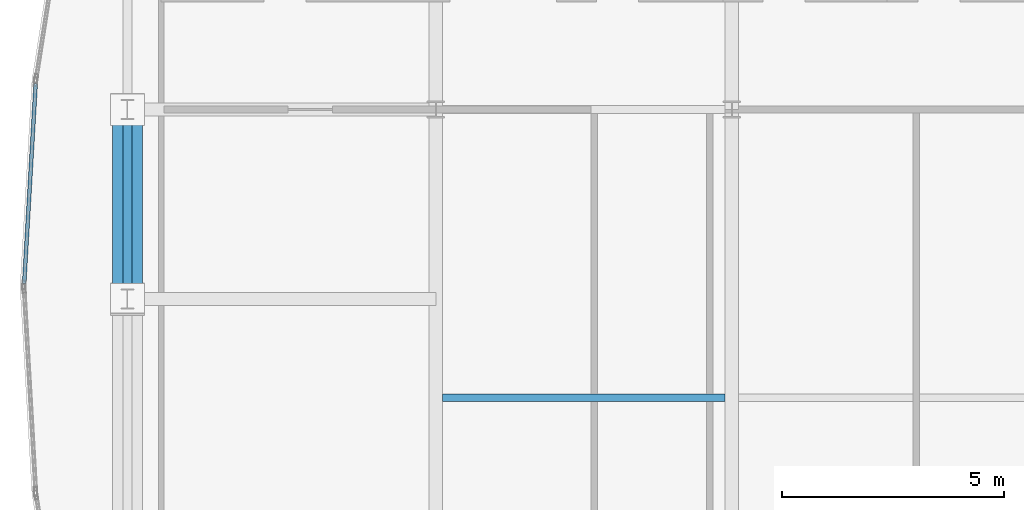
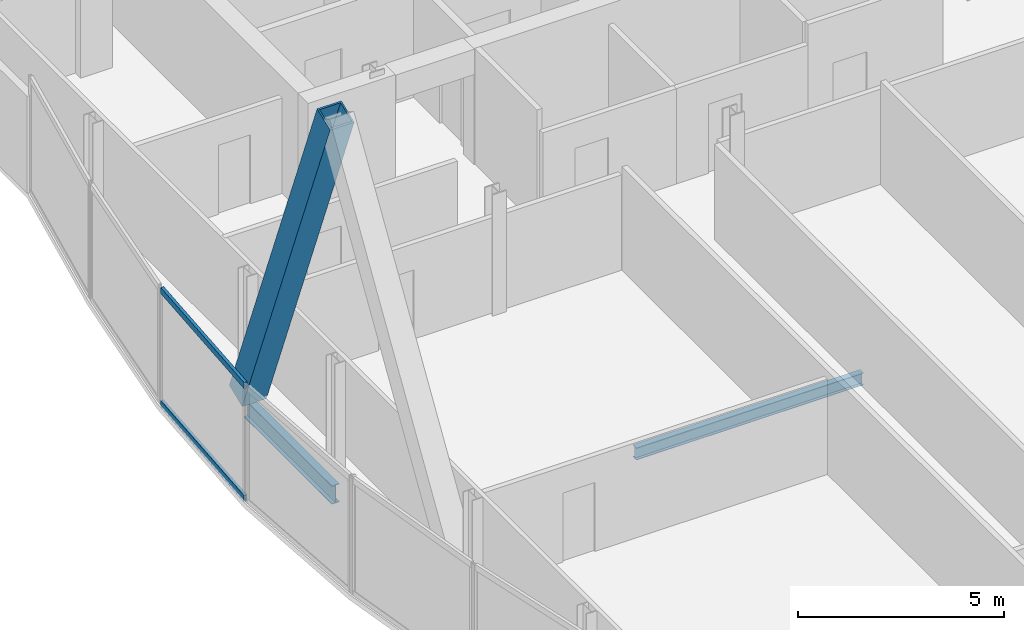
# One storey, part 10 of 29: 3 members, 2 beams, 1 element without a shape of its own.
"""IFC4 building model written with IfcOpenShell, lengths in metres."""

from ifc_helpers import new_model, si_unit, direction, frame, origin, origin_2d, place, context, subcontext, project, spatial, hollow_rectangle, i_section, extrude, material, material_profile, profile_set, type_object, element, aggregate, save


model = new_model("IFC4")

# Units and contexts
model_context = context("Model", 3, precision=1e-05, world=origin(), true_north=direction((0.0, 1.0)))
body_context = subcontext(model_context, "Body", "Model", "MODEL_VIEW")
ifc_project = project(units=[si_unit("LENGTHUNIT", "METRE"), si_unit("AREAUNIT", "SQUARE_METRE"), si_unit("VOLUMEUNIT", "CUBIC_METRE"), si_unit("PLANEANGLEUNIT", "RADIAN"), si_unit("MASSUNIT", "GRAM", prefix="KILO")], contexts=[model_context])

# Site, building, storey
site_placement = place(None, origin())
site = spatial("IfcSite", under=ifc_project, at=site_placement, CompositionType="ELEMENT")
building_placement = place(site_placement, origin())
building = spatial("IfcBuilding", under=site, at=building_placement, Name="Khoronbel Lancet Exchange", CompositionType="ELEMENT")
storey_placement = place(building_placement, frame((0.0, 0.0, 314.60009765625)))
storey = spatial("IfcBuildingStorey", under=building, at=storey_placement, Name="L81", CompositionType="ELEMENT", Elevation=314.60009765625)

# Beams
ifc_material_1 = material(Name="Steel S355", Category="steel")
ifc_material_profile_1 = material_profile(ifc_material_1, i_section(OverallWidth=0.169921875, OverallDepth=0.360107421875, WebThickness=0.008056640625, FlangeThickness=0.0126953125, at=origin_2d()), Name="IPE 360")
ifc_profile_set_1 = profile_set([ifc_material_profile_1], Name="Steel S355")
beam_type_1 = type_object("IfcBeamType", Name="BM-BJ6", PredefinedType="JOIST", material=ifc_profile_set_1)
beam_1_placement = place(storey_placement, frame((18.375, 29.199951171875, -0.340087890625), z_axis=(1.0, 0.0, 0.0), x_axis=(0.0, 1.0, 0.0)))
element("IfcBeam", 1, at=beam_1_placement, inside=storey, type_object=beam_type_1, Name="Level L81 secondary composite joist J07", PredefinedType="JOIST", context=body_context, shape_type="SweptSolid", body=[
    extrude(i_section(OverallWidth=0.169921875, OverallDepth=0.360107421875, WebThickness=0.008056640625, FlangeThickness=0.0126953125, at=origin_2d()), origin(), (0.0, 0.0, 1.0), 6.375),
])
ifc_material_profile_2 = material_profile(ifc_material_1, i_section(OverallWidth=0.2099609375, OverallDepth=0.550048828125, WebThickness=0.010986328125, FlangeThickness=0.01708984375, at=origin_2d()), Name="IPE 550")
ifc_profile_set_2 = profile_set([ifc_material_profile_2], Name="Steel S355")
beam_type_2 = type_object("IfcBeamType", Name="BM-BSP3", PredefinedType="SPANDREL", material=ifc_profile_set_2)
beam_2_placement = place(storey_placement, frame((11.27001953125, 35.699951171875, -0.43505859375), z_axis=(0.0, -1.0, 0.0), x_axis=(1.0, 0.0, 0.0)))
element("IfcBeam", 2, at=beam_2_placement, inside=storey, type_object=beam_type_2, Name="Level L81 perimeter spandrel beam SP15", PredefinedType="SPANDREL", context=body_context, shape_type="SweptSolid", body=[
    extrude(i_section(OverallWidth=0.2099609375, OverallDepth=0.550048828125, WebThickness=0.010986328125, FlangeThickness=0.01708984375, at=origin_2d()), origin(), (0.0, 0.0, 1.0), 4.27490234375),
])

# Curtain wall, members
ifc_material_2 = material(Name="Low-E Solar Control Insulating Glass", Category="glass")
curtain_wall_type = type_object("IfcCurtainWallType", Name="CW-4", PredefinedType="NOTDEFINED", material=ifc_material_2)
curtain_wall_placement = place(storey_placement, origin())
curtain_wall = element("IfcCurtainWall", 3, at=curtain_wall_placement, inside=storey, type_object=curtain_wall_type, Name="Unitised curtain wall CW-L81-E07", PredefinedType="NOTDEFINED")
ifc_material_3 = material(Name="Bronze-Anodised Aluminium 6063-T6", Category="aluminium")
ifc_material_profile_3 = material_profile(ifc_material_3, hollow_rectangle(XDim=0.0849609375, YDim=0.179931640625, WallThickness=0.0048828125, at=origin_2d()), Name="ALU TRANSOM 85x180")
ifc_profile_set_3 = profile_set([ifc_material_profile_3], Name="Bronze-Anodised Aluminium 6063-T6")
member_type_1 = type_object("IfcMemberType", Name="MEM-CWT1", PredefinedType="USERDEFINED", material=ifc_profile_set_3)
member_1_placement = place(storey_placement, frame((8.94189453125, 31.77490234375, 0.04248046875), z_axis=(0.057374728038, 0.998352713515, 0.0), x_axis=(-0.998352713515, 0.057374728038, 0.0)))
member_1 = element("IfcMember", 4, at=member_1_placement, type_object=member_type_1, Name="CW4 transom 1.1", ObjectType="TRANSOM", PredefinedType="USERDEFINED", context=body_context, shape_type="SweptSolid", body=[
    extrude(hollow_rectangle(XDim=0.0849609375, YDim=0.179931640625, WallThickness=0.0048828125, at=origin_2d()), origin(), (0.0, 0.0, 1.0), 4.5146484375),
])
member_2_placement = place(storey_placement, frame((8.94189453125, 31.77490234375, 3.3974609375), z_axis=(0.057374728038, 0.998352713515, 0.0), x_axis=(-0.998352713515, 0.057374728038, 0.0)))
member_2 = element("IfcMember", 5, at=member_2_placement, type_object=member_type_1, Name="CW4 transom 1.2", ObjectType="TRANSOM", PredefinedType="USERDEFINED", context=body_context, shape_type="SweptSolid", body=[
    extrude(hollow_rectangle(XDim=0.0849609375, YDim=0.179931640625, WallThickness=0.0048828125, at=origin_2d()), origin(), (0.0, 0.0, 1.0), 4.5146484375),
])
aggregate(curtain_wall, [member_1, member_2])

# Member
ifc_material_4 = material(Name="Steel S460", Category="steel")
ifc_material_profile_4 = material_profile(ifc_material_4, hollow_rectangle(XDim=0.679931640625, YDim=0.679931640625, WallThickness=0.044921875, at=origin_2d()), Name="BOX 680x680x45")
ifc_profile_set_4 = profile_set([ifc_material_profile_4], Name="Steel S460")
member_type_2 = type_object("IfcMemberType", Name="MEM-MB3", PredefinedType="BRACE", material=ifc_profile_set_4)
member_3_placement = place(storey_placement, frame((11.27001953125, 35.699951171875, 0.0), z_axis=(0.0, -0.368046936675, 0.929807212493), x_axis=(1.0, 0.0, 0.0)))
element("IfcMember", 6, at=member_3_placement, inside=storey, type_object=member_type_2, Name="Perimeter lancet brace tier 28 W-P-R", PredefinedType="BRACE", context=body_context, shape_type="SweptSolid", body=[
    extrude(hollow_rectangle(XDim=0.679931640625, YDim=0.679931640625, WallThickness=0.044921875, at=origin_2d()), origin(), (0.0, 0.0, 1.0), 11.614990234375),
])

save(model, "model.ifc")
